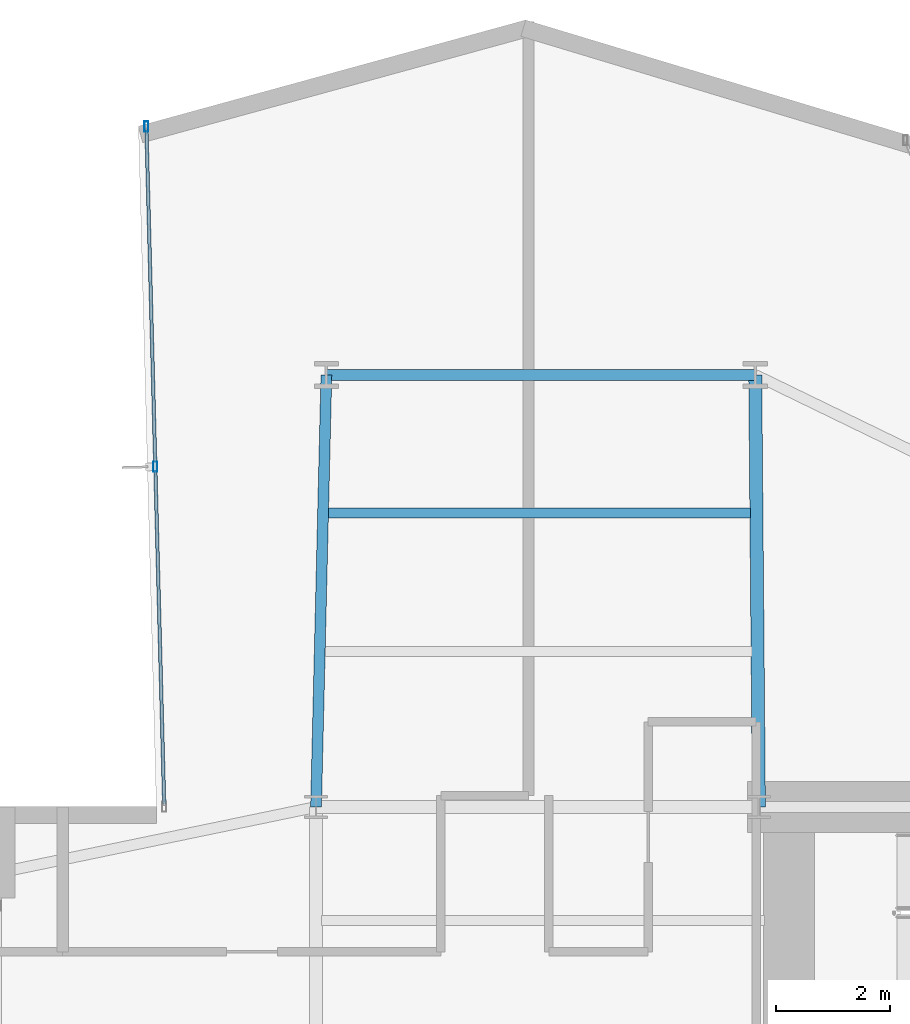
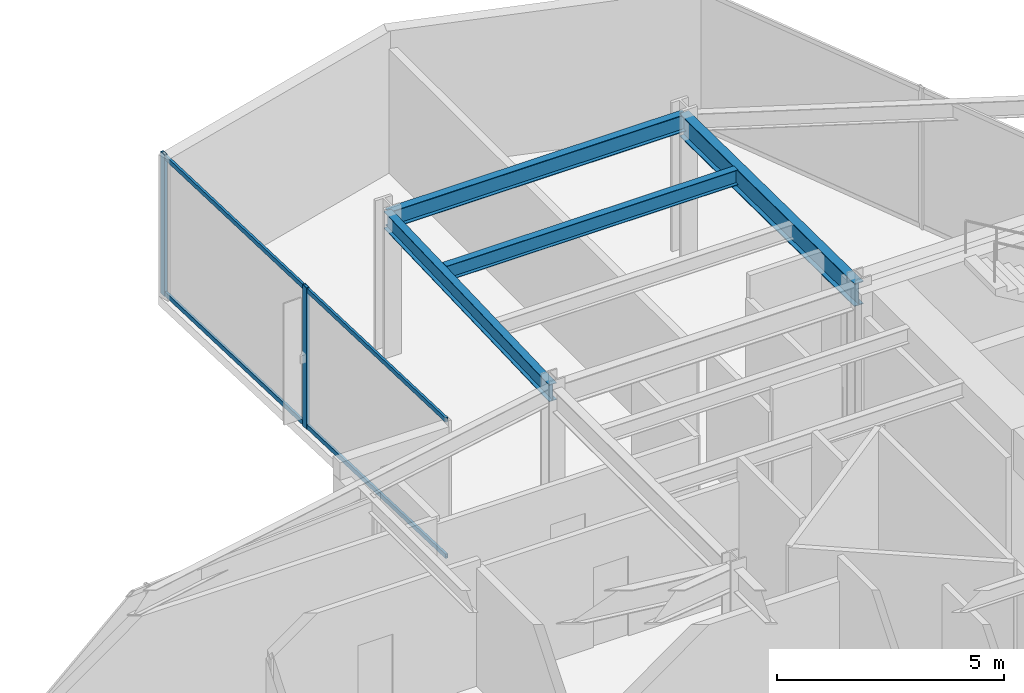
# One storey, part 20 of 29: 4 beams, 4 members, 1 element without a shape of its own.
"""IFC4 building model written with IfcOpenShell, lengths in metres."""

from ifc_helpers import new_model, si_unit, direction, frame, origin, origin_2d, place, context, subcontext, project, spatial, hollow_rectangle, i_section, extrude, material, layer, layer_set, material_profile, profile_set, type_object, element, aggregate, save


model = new_model("IFC4")

# Units and contexts
model_context = context("Model", 3, precision=1e-05, world=origin(), true_north=direction((0.0, 1.0)))
body_context = subcontext(model_context, "Body", "Model", "MODEL_VIEW")
ifc_project = project(units=[si_unit("LENGTHUNIT", "METRE"), si_unit("AREAUNIT", "SQUARE_METRE"), si_unit("VOLUMEUNIT", "CUBIC_METRE"), si_unit("PLANEANGLEUNIT", "RADIAN"), si_unit("MASSUNIT", "GRAM", prefix="KILO")], contexts=[model_context])

# Site, building, storey
site_placement = place(None, origin())
site = spatial("IfcSite", under=ifc_project, at=site_placement, CompositionType="ELEMENT")
building_placement = place(site_placement, origin())
building = spatial("IfcBuilding", under=site, at=building_placement, Name="Veymaron Broadcast Tower", CompositionType="ELEMENT")
storey_placement = place(building_placement, frame((0.0, 0.0, 62.10009765625)))
storey = spatial("IfcBuildingStorey", under=building, at=storey_placement, Name="L13", CompositionType="ELEMENT", Elevation=62.10009765625)

# Beams
ifc_material_1 = material(Name="Structural steel ASTM A992 Gr 50", Category="steel")
ifc_material_profile_1 = material_profile(ifc_material_1, i_section(OverallWidth=0.22998046875, OverallDepth=0.616943359375, WebThickness=0.01318359375, FlangeThickness=0.022216796875, at=origin_2d()), Name="W610X140")
ifc_profile_set_1 = profile_set([ifc_material_profile_1], Name="Structural steel ASTM A992 Gr 50")
beam_type_1 = type_object("IfcBeamType", Name="BM-FG1", PredefinedType="BEAM", material=ifc_profile_set_1)
beam_1_placement = place(storey_placement, frame((39.0, 32.0, 3.50146484375), z_axis=(-0.008533262174, 0.999963591056, 0.0), x_axis=(-0.999963591056, -0.008533262174, 0.0)))
element("IfcBeam", 1, at=beam_1_placement, inside=storey, type_object=beam_type_1, Name="L13 primary structural floor girder", PredefinedType="BEAM", context=body_context, shape_type="SweptSolid", body=[
    extrude(i_section(OverallWidth=0.22998046875, OverallDepth=0.616943359375, WebThickness=0.01318359375, FlangeThickness=0.022216796875, at=origin_2d()), origin(), (0.0, 0.0, 1.0), 7.6103515625),
])
ifc_material_profile_2 = material_profile(ifc_material_1, i_section(OverallWidth=0.177978515625, OverallDepth=0.406982421875, WebThickness=0.0078125, FlangeThickness=0.0126953125, at=origin_2d()), Name="W410X60")
ifc_profile_set_2 = profile_set([ifc_material_profile_2], Name="Structural steel ASTM A992 Gr 50")
beam_type_2 = type_object("IfcBeamType", Name="BM-JS1", PredefinedType="JOIST", material=ifc_profile_set_2)
beam_2_placement = place(storey_placement, frame((31.423828125, 37.1748046875, 3.6064453125), z_axis=(1.0, 0.0, 0.0), x_axis=(0.0, 1.0, 0.0)))
element("IfcBeam", 2, at=beam_2_placement, inside=storey, type_object=beam_type_2, Name="L13 Arm-B secondary joist 2", PredefinedType="JOIST", context=body_context, shape_type="SweptSolid", body=[
    extrude(i_section(OverallWidth=0.177978515625, OverallDepth=0.406982421875, WebThickness=0.0078125, FlangeThickness=0.0126953125, at=origin_2d()), origin(), (0.0, 0.0, 1.0), 7.431884765625),
])
ifc_material_profile_3 = material_profile(ifc_material_1, i_section(OverallWidth=0.19091796875, OverallDepth=0.4599609375, WebThickness=0.010009765625, FlangeThickness=0.01611328125, at=origin_2d()), Name="W460X82")
ifc_profile_set_3 = profile_set([ifc_material_profile_3], Name="Structural steel ASTM A992 Gr 50")
beam_type_3 = type_object("IfcBeamType", Name="BM-SP1", PredefinedType="SPANDREL", material=ifc_profile_set_3)
beam_3_placement = place(storey_placement, frame((31.199951171875, 32.0, 3.579833984375), z_axis=(0.023925650461, 0.999713740653, 0.0), x_axis=(-0.999713740653, 0.023925650461, 0.0)))
element("IfcBeam", 3, at=beam_3_placement, inside=storey, type_object=beam_type_3, Name="L13 primary structural floor girder", PredefinedType="SPANDREL", context=body_context, shape_type="SweptSolid", body=[
    extrude(i_section(OverallWidth=0.19091796875, OverallDepth=0.4599609375, WebThickness=0.010009765625, FlangeThickness=0.01611328125, at=origin_2d()), origin(), (0.0, 0.0, 1.0), 7.6123046875),
])
beam_4_placement = place(storey_placement, frame((31.382080078125, 39.610107421875, 3.579833984375), z_axis=(1.0, 0.0, 0.0), x_axis=(0.0, 1.0, 0.0)))
element("IfcBeam", 4, at=beam_4_placement, inside=storey, type_object=beam_type_3, Name="L13 primary structural floor girder", PredefinedType="SPANDREL", context=body_context, shape_type="SweptSolid", body=[
    extrude(i_section(OverallWidth=0.19091796875, OverallDepth=0.4599609375, WebThickness=0.010009765625, FlangeThickness=0.01611328125, at=origin_2d()), origin(), (0.0, 0.0, 1.0), 7.552978515625),
])

# Curtain wall, members
ifc_material_2 = material(Name="Anodised aluminium AA 6063-T6 and laminated low-E dark glass", Category="aluminium")
ifc_layer = layer(ifc_material_2, 0.179931640625)
ifc_layer_set = layer_set([ifc_layer], Name="Anodised aluminium AA 6063-T6 and laminated low-E dark glass")
curtain_wall_type = type_object("IfcCurtainWallType", Name="CW-SYS-02", PredefinedType="NOTDEFINED", material=ifc_layer_set)
curtain_wall_placement = place(storey_placement, origin())
curtain_wall = element("IfcCurtainWall", 5, at=curtain_wall_placement, inside=storey, type_object=curtain_wall_type, Name="L13 dark-glass curtain wall CW-L13-E8-1", PredefinedType="NOTDEFINED")
ifc_material_3 = material(Name="Anodised aluminium AA 6063-T6", Category="aluminium")
ifc_material_profile_4 = material_profile(ifc_material_3, hollow_rectangle(XDim=0.074951171875, YDim=0.179931640625, WallThickness=0.0048828125, at=origin_2d()), Name="AL180X75X5")
ifc_profile_set_4 = profile_set([ifc_material_profile_4], Name="Anodised aluminium AA 6063-T6")
member_type_1 = type_object("IfcMemberType", Name="CW-MUL-02", PredefinedType="MULLION", material=ifc_profile_set_4)
member_1_placement = place(storey_placement, frame((28.2119140625, 43.984619140625, 0.0), z_axis=(0.0, 0.0, 1.0), x_axis=(1.0, 0.0, 0.0)))
member_1 = element("IfcMember", 6, at=member_1_placement, type_object=member_type_1, Name="CW-L13-E8-1 mullion 0", PredefinedType="MULLION", context=body_context, shape_type="SweptSolid", body=[
    extrude(hollow_rectangle(XDim=0.074951171875, YDim=0.179931640625, WallThickness=0.0048828125, at=origin_2d()), origin(), (0.0, 0.0, 1.0), 3.809814453125),
])
member_2_placement = place(storey_placement, frame((28.369384765625, 37.994140625, 0.0), z_axis=(0.0, 0.0, 1.0), x_axis=(1.0, 0.0, 0.0)))
member_2 = element("IfcMember", 7, at=member_2_placement, type_object=member_type_1, Name="CW-L13-E8-1 mullion 1", PredefinedType="MULLION", context=body_context, shape_type="SweptSolid", body=[
    extrude(hollow_rectangle(XDim=0.074951171875, YDim=0.179931640625, WallThickness=0.0048828125, at=origin_2d()), origin(), (0.0, 0.0, 1.0), 3.809814453125),
])
ifc_material_profile_5 = material_profile(ifc_material_3, hollow_rectangle(XDim=0.06005859375, YDim=0.1201171875, WallThickness=0.00390625, at=origin_2d()), Name="AL120X60X4")
ifc_profile_set_5 = profile_set([ifc_material_profile_5], Name="Anodised aluminium AA 6063-T6")
member_type_2 = type_object("IfcMemberType", Name="CW-TRN-02", PredefinedType="USERDEFINED", material=ifc_profile_set_5)
member_3_placement = place(storey_placement, frame((28.213134765625, 43.934814453125, 0.06982421875), z_axis=(0.026293177264, -0.999654274652, 0.0), x_axis=(0.999654274652, 0.026293177264, 0.0)))
member_3 = element("IfcMember", 8, at=member_3_placement, type_object=member_type_2, Name="CW-L13-E8-1 transom B", ObjectType="TRANSOM", PredefinedType="USERDEFINED", context=body_context, shape_type="SweptSolid", body=[
    extrude(hollow_rectangle(XDim=0.06005859375, YDim=0.1201171875, WallThickness=0.00390625, at=origin_2d()), origin(), (0.0, 0.0, 1.0), 11.88525390625),
])
member_4_placement = place(storey_placement, frame((28.213134765625, 43.934814453125, 3.739990234375), z_axis=(0.026293177264, -0.999654274652, 0.0), x_axis=(0.999654274652, 0.026293177264, 0.0)))
member_4 = element("IfcMember", 9, at=member_4_placement, type_object=member_type_2, Name="CW-L13-E8-1 transom T", ObjectType="TRANSOM", PredefinedType="USERDEFINED", context=body_context, shape_type="SweptSolid", body=[
    extrude(hollow_rectangle(XDim=0.06005859375, YDim=0.1201171875, WallThickness=0.00390625, at=origin_2d()), origin(), (0.0, 0.0, 1.0), 11.88525390625),
])
aggregate(curtain_wall, [member_1, member_2, member_3, member_4])

save(model, "model.ifc")
